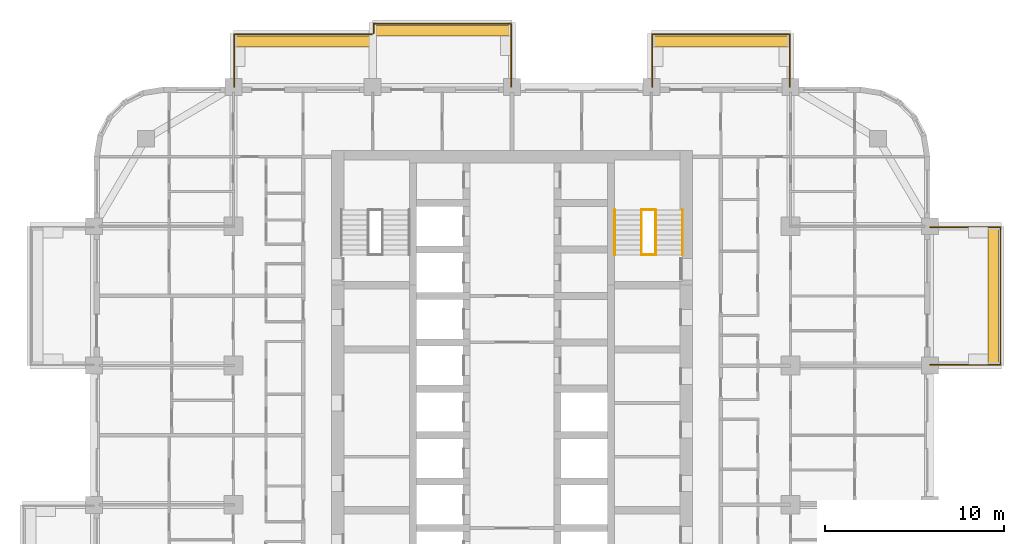
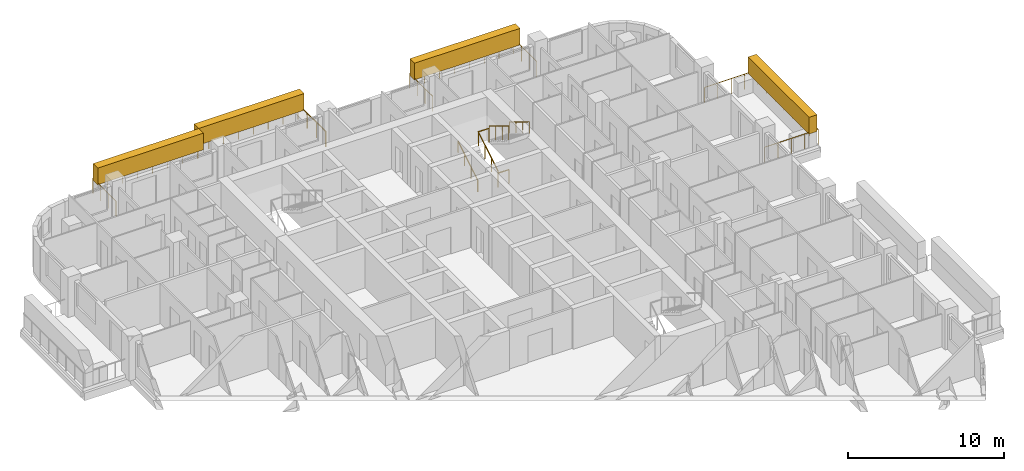
# One storey, part 18 of 18: 10 railings, 4 coverings, 1 element without a shape of its own.
"""IFC4 building model written with IfcOpenShell, lengths in metres."""

from ifc_helpers import new_model, si_unit, direction, frame, origin, origin_2d, place, context, subcontext, project, spatial, rectangle, circle, extrude, material, layer, layer_set, type_object, element, aggregate, save


model = new_model("IFC4")

# Units and contexts
model_context = context("Model", 3, precision=1e-05, world=origin(), true_north=direction((0.0, 1.0)))
body_context = subcontext(model_context, "Body", "Model", "MODEL_VIEW")
ifc_project = project(units=[si_unit("LENGTHUNIT", "METRE"), si_unit("AREAUNIT", "SQUARE_METRE"), si_unit("VOLUMEUNIT", "CUBIC_METRE"), si_unit("PLANEANGLEUNIT", "RADIAN"), si_unit("MASSUNIT", "GRAM", prefix="KILO")], contexts=[model_context])

# Site, building, storey
site_placement = place(None, origin())
site = spatial("IfcSite", under=ifc_project, at=site_placement, CompositionType="ELEMENT")
building_placement = place(site_placement, origin())
building = spatial("IfcBuilding", under=site, at=building_placement, Name="Ludao Terraces", CompositionType="ELEMENT")
storey_placement = place(building_placement, frame((0.0, 0.0, 64.800048828125)))
storey = spatial("IfcBuildingStorey", under=building, at=storey_placement, Name="L17", CompositionType="ELEMENT", Elevation=64.800048828125)

# Railings
ifc_material_1 = material(Name="Stainless steel 304", Category="steel")
railing_type_1 = type_object("IfcRailingType", Name="ENV Balcony glass guard 1200", PredefinedType="GUARDRAIL", material=ifc_material_1)
railing_1_placement = place(storey_placement, frame((108.39990234375, 72.85009765625, 0.0)))
element("IfcRailing", 1, at=railing_1_placement, inside=storey, type_object=railing_type_1, Name="Balcony guard L17 E4", PredefinedType="GUARDRAIL", context=body_context, shape_type="SweptSolid", body=[
    extrude(circle(Radius=0.02392578125, at=origin_2d()), frame((0.0, 0.0, 1.17578125), z_axis=(1.0, 0.0, 0.0), x_axis=(0.0, 1.0, 0.0)), (0.0, 0.0, 1.0), 3.9501953125),
    extrude(circle(Radius=0.02392578125, at=origin_2d()), frame((3.9501953125, 0.0, 1.17578125), z_axis=(0.0, 1.0, 0.0), x_axis=(-1.0, 0.0, 0.0)), (0.0, 0.0, 1.0), 7.699951171875),
    extrude(circle(Radius=0.02392578125, at=origin_2d()), frame((3.9501953125, 7.699951171875, 1.17578125), z_axis=(-1.0, 0.0, 0.0), x_axis=(0.0, -1.0, 0.0)), (0.0, 0.0, 1.0), 3.9501953125),
    extrude(circle(Radius=0.02099609375, at=origin_2d()), origin(), (0.0, 0.0, 1.0), 1.15185546875),
    extrude(circle(Radius=0.02099609375, at=origin_2d()), frame((0.987548828125, 0.0, 0.0)), (0.0, 0.0, 1.0), 1.15185546875),
    extrude(circle(Radius=0.02099609375, at=origin_2d()), frame((1.97509765625, 0.0, 0.0)), (0.0, 0.0, 1.0), 1.15185546875),
    extrude(circle(Radius=0.02099609375, at=origin_2d()), frame((2.962646484375, 0.0, 0.0)), (0.0, 0.0, 1.0), 1.15185546875),
    extrude(circle(Radius=0.02099609375, at=origin_2d()), frame((3.9501953125, 0.0, 0.0)), (0.0, 0.0, 1.0), 1.15185546875),
    extrude(circle(Radius=0.02099609375, at=origin_2d()), frame((3.9501953125, 1.10009765625, 0.0)), (0.0, 0.0, 1.0), 1.15185546875),
    extrude(circle(Radius=0.02099609375, at=origin_2d()), frame((3.9501953125, 2.199951171875, 0.0)), (0.0, 0.0, 1.0), 1.15185546875),
    extrude(circle(Radius=0.02099609375, at=origin_2d()), frame((3.9501953125, 3.300048828125, 0.0)), (0.0, 0.0, 1.0), 1.15185546875),
    extrude(circle(Radius=0.02099609375, at=origin_2d()), frame((3.9501953125, 4.39990234375, 0.0)), (0.0, 0.0, 1.0), 1.15185546875),
    extrude(circle(Radius=0.02099609375, at=origin_2d()), frame((3.9501953125, 5.5, 0.0)), (0.0, 0.0, 1.0), 1.15185546875),
    extrude(circle(Radius=0.02099609375, at=origin_2d()), frame((3.9501953125, 6.599853515625, 0.0)), (0.0, 0.0, 1.0), 1.15185546875),
    extrude(circle(Radius=0.02099609375, at=origin_2d()), frame((3.9501953125, 7.699951171875, 0.0)), (0.0, 0.0, 1.0), 1.15185546875),
    extrude(circle(Radius=0.02099609375, at=origin_2d()), frame((2.962646484375, 7.699951171875, 0.0)), (0.0, 0.0, 1.0), 1.15185546875),
    extrude(circle(Radius=0.02099609375, at=origin_2d()), frame((1.97509765625, 7.699951171875, 0.0)), (0.0, 0.0, 1.0), 1.15185546875),
    extrude(circle(Radius=0.02099609375, at=origin_2d()), frame((0.987548828125, 7.699951171875, 0.0)), (0.0, 0.0, 1.0), 1.15185546875),
    extrude(circle(Radius=0.02099609375, at=origin_2d()), frame((0.0, 7.699951171875, 0.0)), (0.0, 0.0, 1.0), 1.15185546875),
])
railing_2_placement = place(storey_placement, frame((69.449951171875, 88.39990234375, 0.0)))
element("IfcRailing", 2, at=railing_2_placement, inside=storey, type_object=railing_type_1, Name="Balcony guard L17 N1", PredefinedType="GUARDRAIL", context=body_context, shape_type="SweptSolid", body=[
    extrude(circle(Radius=0.02392578125, at=origin_2d()), frame((0.0, 0.0, 1.17578125), z_axis=(0.0, 1.0, 0.0), x_axis=(-1.0, 0.0, 0.0)), (0.0, 0.0, 1.0), 2.9501953125),
    extrude(circle(Radius=0.02392578125, at=origin_2d()), frame((0.0, 2.9501953125, 1.17578125), z_axis=(1.0, 0.0, 0.0), x_axis=(0.0, 1.0, 0.0)), (0.0, 0.0, 1.0), 7.699951171875),
    extrude(circle(Radius=0.02099609375, at=origin_2d()), origin(), (0.0, 0.0, 1.0), 1.15185546875),
    extrude(circle(Radius=0.02099609375, at=origin_2d()), frame((0.0, 0.9833984375, 0.0)), (0.0, 0.0, 1.0), 1.15185546875),
    extrude(circle(Radius=0.02099609375, at=origin_2d()), frame((0.0, 1.966796875, 0.0)), (0.0, 0.0, 1.0), 1.15185546875),
    extrude(circle(Radius=0.02099609375, at=origin_2d()), frame((0.0, 2.9501953125, 0.0)), (0.0, 0.0, 1.0), 1.15185546875),
    extrude(circle(Radius=0.02099609375, at=origin_2d()), frame((1.10009765625, 2.9501953125, 0.0)), (0.0, 0.0, 1.0), 1.15185546875),
    extrude(circle(Radius=0.02099609375, at=origin_2d()), frame((2.199951171875, 2.9501953125, 0.0)), (0.0, 0.0, 1.0), 1.15185546875),
    extrude(circle(Radius=0.02099609375, at=origin_2d()), frame((3.300048828125, 2.9501953125, 0.0)), (0.0, 0.0, 1.0), 1.15185546875),
    extrude(circle(Radius=0.02099609375, at=origin_2d()), frame((4.39990234375, 2.9501953125, 0.0)), (0.0, 0.0, 1.0), 1.15185546875),
    extrude(circle(Radius=0.02099609375, at=origin_2d()), frame((5.5, 2.9501953125, 0.0)), (0.0, 0.0, 1.0), 1.15185546875),
    extrude(circle(Radius=0.02099609375, at=origin_2d()), frame((6.599853515625, 2.9501953125, 0.0)), (0.0, 0.0, 1.0), 1.15185546875),
    extrude(circle(Radius=0.02099609375, at=origin_2d()), frame((7.699951171875, 2.9501953125, 0.0)), (0.0, 0.0, 1.0), 1.15185546875),
])
railing_3_placement = place(storey_placement, frame((77.25, 91.39990234375, 0.0)))
element("IfcRailing", 3, at=railing_3_placement, inside=storey, type_object=railing_type_1, Name="Balcony guard L17 N2", PredefinedType="GUARDRAIL", context=body_context, shape_type="SweptSolid", body=[
    extrude(circle(Radius=0.02392578125, at=origin_2d()), frame((0.0, 0.0, 1.17578125), z_axis=(0.0, 1.0, 0.0), x_axis=(-1.0, 0.0, 0.0)), (0.0, 0.0, 1.0), 0.550048828125),
    extrude(circle(Radius=0.02392578125, at=origin_2d()), frame((0.0, 0.550048828125, 1.17578125), z_axis=(1.0, 0.0, 0.0), x_axis=(0.0, 1.0, 0.0)), (0.0, 0.0, 1.0), 7.699951171875),
    extrude(circle(Radius=0.02392578125, at=origin_2d()), frame((7.699951171875, 0.550048828125, 1.17578125), z_axis=(0.0, -1.0, 0.0), x_axis=(1.0, 0.0, 0.0)), (0.0, 0.0, 1.0), 3.550048828125),
    extrude(circle(Radius=0.02099609375, at=origin_2d()), origin(), (0.0, 0.0, 1.0), 1.15185546875),
    extrude(circle(Radius=0.02099609375, at=origin_2d()), frame((0.0, 0.550048828125, 0.0)), (0.0, 0.0, 1.0), 1.15185546875),
    extrude(circle(Radius=0.02099609375, at=origin_2d()), frame((1.10009765625, 0.550048828125, 0.0)), (0.0, 0.0, 1.0), 1.15185546875),
    extrude(circle(Radius=0.02099609375, at=origin_2d()), frame((2.199951171875, 0.550048828125, 0.0)), (0.0, 0.0, 1.0), 1.15185546875),
    extrude(circle(Radius=0.02099609375, at=origin_2d()), frame((3.300048828125, 0.550048828125, 0.0)), (0.0, 0.0, 1.0), 1.15185546875),
    extrude(circle(Radius=0.02099609375, at=origin_2d()), frame((4.39990234375, 0.550048828125, 0.0)), (0.0, 0.0, 1.0), 1.15185546875),
    extrude(circle(Radius=0.02099609375, at=origin_2d()), frame((5.5, 0.550048828125, 0.0)), (0.0, 0.0, 1.0), 1.15185546875),
    extrude(circle(Radius=0.02099609375, at=origin_2d()), frame((6.599853515625, 0.550048828125, 0.0)), (0.0, 0.0, 1.0), 1.15185546875),
    extrude(circle(Radius=0.02099609375, at=origin_2d()), frame((7.699951171875, 0.550048828125, 0.0)), (0.0, 0.0, 1.0), 1.15185546875),
    extrude(circle(Radius=0.02099609375, at=origin_2d()), frame((7.699951171875, -0.63330078125, 0.0)), (0.0, 0.0, 1.0), 1.15185546875),
    extrude(circle(Radius=0.02099609375, at=origin_2d()), frame((7.699951171875, -1.816650390625, 0.0)), (0.0, 0.0, 1.0), 1.15185546875),
    extrude(circle(Radius=0.02099609375, at=origin_2d()), frame((7.699951171875, -3.0, 0.0)), (0.0, 0.0, 1.0), 1.15185546875),
])
railing_4_placement = place(storey_placement, frame((92.85009765625, 88.39990234375, 0.0)))
element("IfcRailing", 4, at=railing_4_placement, inside=storey, type_object=railing_type_1, Name="Balcony guard L17 N4", PredefinedType="GUARDRAIL", context=body_context, shape_type="SweptSolid", body=[
    extrude(circle(Radius=0.02392578125, at=origin_2d()), frame((0.0, 0.0, 1.17578125), z_axis=(0.0, 1.0, 0.0), x_axis=(-1.0, 0.0, 0.0)), (0.0, 0.0, 1.0), 2.9501953125),
    extrude(circle(Radius=0.02392578125, at=origin_2d()), frame((0.0, 2.9501953125, 1.17578125), z_axis=(1.0, 0.0, 0.0), x_axis=(0.0, 1.0, 0.0)), (0.0, 0.0, 1.0), 7.699951171875),
    extrude(circle(Radius=0.02392578125, at=origin_2d()), frame((7.699951171875, 2.9501953125, 1.17578125), z_axis=(0.0, -1.0, 0.0), x_axis=(1.0, 0.0, 0.0)), (0.0, 0.0, 1.0), 2.9501953125),
    extrude(circle(Radius=0.02099609375, at=origin_2d()), origin(), (0.0, 0.0, 1.0), 1.15185546875),
    extrude(circle(Radius=0.02099609375, at=origin_2d()), frame((0.0, 0.9833984375, 0.0)), (0.0, 0.0, 1.0), 1.15185546875),
    extrude(circle(Radius=0.02099609375, at=origin_2d()), frame((0.0, 1.966796875, 0.0)), (0.0, 0.0, 1.0), 1.15185546875),
    extrude(circle(Radius=0.02099609375, at=origin_2d()), frame((0.0, 2.9501953125, 0.0)), (0.0, 0.0, 1.0), 1.15185546875),
    extrude(circle(Radius=0.02099609375, at=origin_2d()), frame((1.10009765625, 2.9501953125, 0.0)), (0.0, 0.0, 1.0), 1.15185546875),
    extrude(circle(Radius=0.02099609375, at=origin_2d()), frame((2.199951171875, 2.9501953125, 0.0)), (0.0, 0.0, 1.0), 1.15185546875),
    extrude(circle(Radius=0.02099609375, at=origin_2d()), frame((3.300048828125, 2.9501953125, 0.0)), (0.0, 0.0, 1.0), 1.15185546875),
    extrude(circle(Radius=0.02099609375, at=origin_2d()), frame((4.39990234375, 2.9501953125, 0.0)), (0.0, 0.0, 1.0), 1.15185546875),
    extrude(circle(Radius=0.02099609375, at=origin_2d()), frame((5.5, 2.9501953125, 0.0)), (0.0, 0.0, 1.0), 1.15185546875),
    extrude(circle(Radius=0.02099609375, at=origin_2d()), frame((6.599853515625, 2.9501953125, 0.0)), (0.0, 0.0, 1.0), 1.15185546875),
    extrude(circle(Radius=0.02099609375, at=origin_2d()), frame((7.699951171875, 2.9501953125, 0.0)), (0.0, 0.0, 1.0), 1.15185546875),
    extrude(circle(Radius=0.02099609375, at=origin_2d()), frame((7.699951171875, 1.966796875, 0.0)), (0.0, 0.0, 1.0), 1.15185546875),
    extrude(circle(Radius=0.02099609375, at=origin_2d()), frame((7.699951171875, 0.9833984375, 0.0)), (0.0, 0.0, 1.0), 1.15185546875),
    extrude(circle(Radius=0.02099609375, at=origin_2d()), frame((7.699951171875, 0.0, 0.0)), (0.0, 0.0, 1.0), 1.15185546875),
])

# Coverings
ifc_material_2 = material(Name="Planting")
ifc_layer = layer(ifc_material_2, 0.60009765625)
ifc_layer_set = layer_set([ifc_layer], Name="ENV Planting hedge 600x1300")
covering_type = type_object("IfcCoveringType", Name="ENV Planting hedge 600x1300", PredefinedType="USERDEFINED", material=ifc_layer_set)
covering_placement = place(storey_placement, frame((111.949951171875, 76.699951171875, 1.10009765625), z_axis=(0.0, 0.0, 1.0), x_axis=(1.0, 0.0, 0.0)))
element("IfcCovering", 5, at=covering_placement, inside=storey, type_object=covering_type, Name="Planting hedge L17-E4", ObjectType="PLANTING", PredefinedType="USERDEFINED", context=body_context, shape_type="SweptSolid", body=[
    extrude(rectangle(XDim=0.60009765625, YDim=7.800048828125, at=origin_2d()), origin(), (0.0, 0.0, 1.0), 1.300048828125),
])
for number, where, z_axis, x_axis, name in (
    (6, (73.300048828125, 90.949951171875, 1.10009765625), (0.0, 0.0, 1.0), (1.0, 0.0, 0.0), "Planting hedge L17-N1"),
    (7, (81.10009765625, 91.550048828125, 1.10009765625), (0.0, 0.0, 1.0), (1.0, 0.0, 0.0), "Planting hedge L17-N2"),
    (8, (96.699951171875, 90.949951171875, 1.10009765625), (0.0, 0.0, 1.0), (1.0, 0.0, 0.0), "Planting hedge L17-N4"),
):
    element("IfcCovering", number, at=place(storey_placement, frame(where, z_axis=z_axis, x_axis=x_axis)), inside=storey, type_object=covering_type, Name=name, ObjectType="PLANTING", PredefinedType="USERDEFINED", context=body_context, shape_type="SweptSolid", body=[
        extrude(rectangle(XDim=7.800048828125, YDim=0.60009765625, at=origin_2d()), origin(), (0.0, 0.0, 1.0), 1.300048828125),
    ])

# Stair, railings
ifc_material_3 = material(Name="Concrete C40", Category="concrete")
stair_type = type_object("IfcStairType", Name="INT Stair", PredefinedType="HALF_TURN_STAIR", material=ifc_material_3)
stair_placement = place(storey_placement, origin())
stair = element("IfcStair", 9, at=stair_placement, inside=storey, type_object=stair_type, Name="EXIT STAIR 2", PredefinedType="HALF_TURN_STAIR")
railing_type_2 = type_object("IfcRailingType", Name="INT Stair guard 1100", PredefinedType="GUARDRAIL", material=ifc_material_1)
railing_5_placement = place(storey_placement, frame((92.25, 79.0, 0.169921875)))
railing_5 = element("IfcRailing", 10, at=railing_5_placement, type_object=railing_type_2, Name="ST-L17-S2-R1G", PredefinedType="GUARDRAIL", context=body_context, shape_type="SweptSolid", body=[
    extrude(circle(Radius=0.02392578125, at=origin_2d()), frame((0.0, 0.0, 1.076171875), z_axis=(0.0, 0.85478489116, 0.518982456201), x_axis=(-1.0, 0.0, 0.0)), (0.0, 0.0, 1.0), 2.9482421875),
    extrude(circle(Radius=0.02099609375, at=origin_2d()), origin(), (0.0, 0.0, 1.0), 1.052001953125),
    extrude(circle(Radius=0.02099609375, at=origin_2d()), frame((0.0, 0.840087890625, 0.510009765625)), (0.0, 0.0, 1.0), 1.052001953125),
    extrude(circle(Radius=0.02099609375, at=origin_2d()), frame((0.0, 1.679931640625, 1.02001953125)), (0.0, 0.0, 1.0), 1.052001953125),
    extrude(circle(Radius=0.02099609375, at=origin_2d()), frame((0.0, 2.52001953125, 1.530029296875)), (0.0, 0.0, 1.0), 1.052001953125),
])
railing_6_placement = place(storey_placement, frame((93.050048828125, 81.52001953125, 1.869873046875)))
railing_6 = element("IfcRailing", 11, at=railing_6_placement, type_object=railing_type_2, Name="ST-L17-S2-R2G", PredefinedType="GUARDRAIL", context=body_context, shape_type="SweptSolid", body=[
    extrude(circle(Radius=0.02392578125, at=origin_2d()), frame((0.0, 0.0, 1.076171875), z_axis=(0.0, -0.85478489116, 0.518982456201), x_axis=(1.0, 0.0, 0.0)), (0.0, 0.0, 1.0), 2.9482421875),
    extrude(circle(Radius=0.02099609375, at=origin_2d()), origin(), (0.0, 0.0, 1.0), 1.052001953125),
    extrude(circle(Radius=0.02099609375, at=origin_2d()), frame((0.0, -0.840087890625, 0.510009765625)), (0.0, 0.0, 1.0), 1.052001953125),
    extrude(circle(Radius=0.02099609375, at=origin_2d()), frame((0.0, -1.679931640625, 1.02001953125)), (0.0, 0.0, 1.0), 1.052001953125),
    extrude(circle(Radius=0.02099609375, at=origin_2d()), frame((0.0, -2.52001953125, 1.530029296875)), (0.0, 0.0, 1.0), 1.052001953125),
])
railing_7_placement = place(storey_placement, frame((92.25, 81.52001953125, 1.699951171875)))
railing_7 = element("IfcRailing", 12, at=railing_7_placement, type_object=railing_type_2, Name="ST-L17-S2-E1G", PredefinedType="GUARDRAIL", context=body_context, shape_type="SweptSolid", body=[
    extrude(circle(Radius=0.02392578125, at=origin_2d()), frame((0.0, 0.0, 1.076171875), z_axis=(1.0, 0.0, 0.0), x_axis=(0.0, 1.0, 0.0)), (0.0, 0.0, 1.0), 0.800048828125),
    extrude(circle(Radius=0.02099609375, at=origin_2d()), origin(), (0.0, 0.0, 1.0), 1.052001953125),
    extrude(circle(Radius=0.02099609375, at=origin_2d()), frame((0.800048828125, 0.0, 0.0)), (0.0, 0.0, 1.0), 1.052001953125),
])
railing_8_placement = place(storey_placement, frame((92.25, 79.0, 0.0)))
railing_8 = element("IfcRailing", 13, at=railing_8_placement, type_object=railing_type_2, Name="ST-L17-S2-E2G", PredefinedType="GUARDRAIL", context=body_context, shape_type="SweptSolid", body=[
    extrude(circle(Radius=0.02392578125, at=origin_2d()), frame((0.0, 0.0, 1.076171875), z_axis=(1.0, 0.0, 0.0), x_axis=(0.0, 1.0, 0.0)), (0.0, 0.0, 1.0), 0.800048828125),
    extrude(circle(Radius=0.02099609375, at=origin_2d()), origin(), (0.0, 0.0, 1.0), 1.052001953125),
    extrude(circle(Radius=0.02099609375, at=origin_2d()), frame((0.800048828125, 0.0, 0.0)), (0.0, 0.0, 1.0), 1.052001953125),
])
railing_type_3 = type_object("IfcRailingType", Name="INT Stair handrail 900", PredefinedType="HANDRAIL", material=ifc_material_1)
railing_9_placement = place(storey_placement, frame((90.75, 79.0, 0.169921875)))
railing_9 = element("IfcRailing", 14, at=railing_9_placement, type_object=railing_type_3, Name="ST-L17-S2-R1H", PredefinedType="HANDRAIL", context=body_context, shape_type="SweptSolid", body=[
    extrude(circle(Radius=0.02392578125, at=origin_2d()), frame((0.0, 0.0, 0.8759765625), z_axis=(0.0, 0.85478489116, 0.518982456201), x_axis=(-1.0, 0.0, 0.0)), (0.0, 0.0, 1.0), 2.9482421875),
    extrude(circle(Radius=0.02099609375, at=origin_2d()), origin(), (0.0, 0.0, 1.0), 0.851806640625),
    extrude(circle(Radius=0.02099609375, at=origin_2d()), frame((0.0, 0.840087890625, 0.510009765625)), (0.0, 0.0, 1.0), 0.851806640625),
    extrude(circle(Radius=0.02099609375, at=origin_2d()), frame((0.0, 1.679931640625, 1.02001953125)), (0.0, 0.0, 1.0), 0.851806640625),
    extrude(circle(Radius=0.02099609375, at=origin_2d()), frame((0.0, 2.52001953125, 1.530029296875)), (0.0, 0.0, 1.0), 0.851806640625),
])
railing_10_placement = place(storey_placement, frame((94.550048828125, 81.52001953125, 1.869873046875)))
railing_10 = element("IfcRailing", 15, at=railing_10_placement, type_object=railing_type_3, Name="ST-L17-S2-R2H", PredefinedType="HANDRAIL", context=body_context, shape_type="SweptSolid", body=[
    extrude(circle(Radius=0.02392578125, at=origin_2d()), frame((0.0, 0.0, 0.8759765625), z_axis=(0.0, -0.85478489116, 0.518982456201), x_axis=(1.0, 0.0, 0.0)), (0.0, 0.0, 1.0), 2.9482421875),
    extrude(circle(Radius=0.02099609375, at=origin_2d()), origin(), (0.0, 0.0, 1.0), 0.851806640625),
    extrude(circle(Radius=0.02099609375, at=origin_2d()), frame((0.0, -0.840087890625, 0.510009765625)), (0.0, 0.0, 1.0), 0.851806640625),
    extrude(circle(Radius=0.02099609375, at=origin_2d()), frame((0.0, -1.679931640625, 1.02001953125)), (0.0, 0.0, 1.0), 0.851806640625),
    extrude(circle(Radius=0.02099609375, at=origin_2d()), frame((0.0, -2.52001953125, 1.530029296875)), (0.0, 0.0, 1.0), 0.851806640625),
])
aggregate(stair, [railing_5, railing_9, railing_6, railing_10, railing_7, railing_8])

save(model, "model.ifc")
